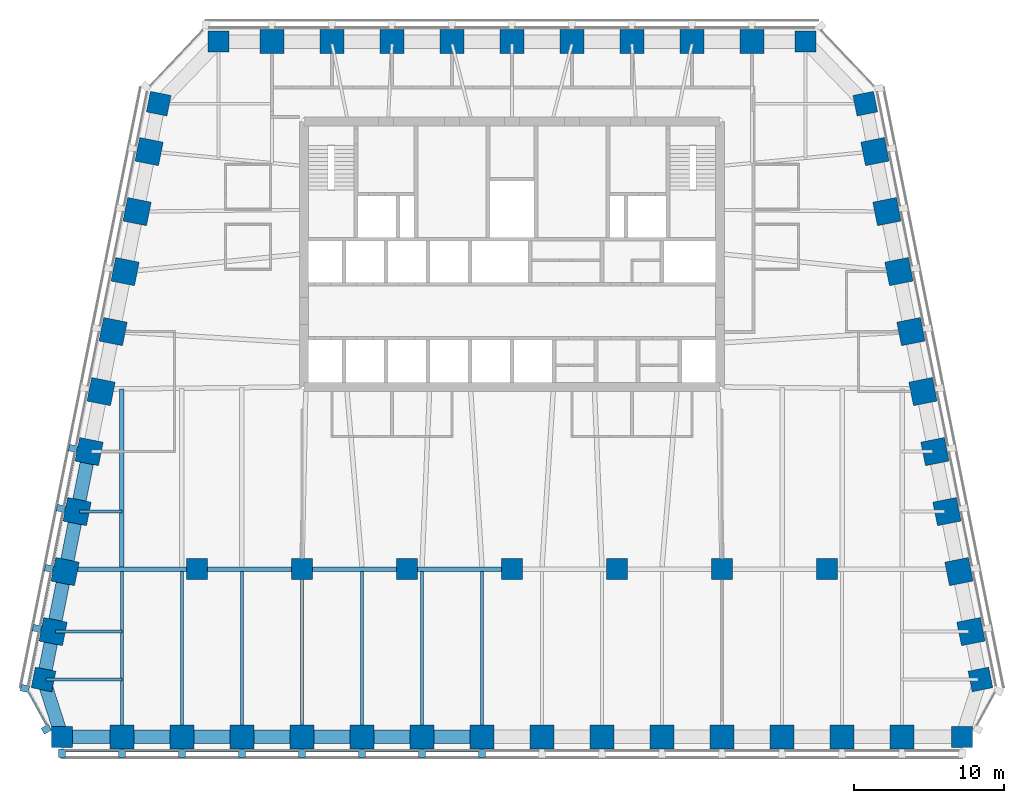
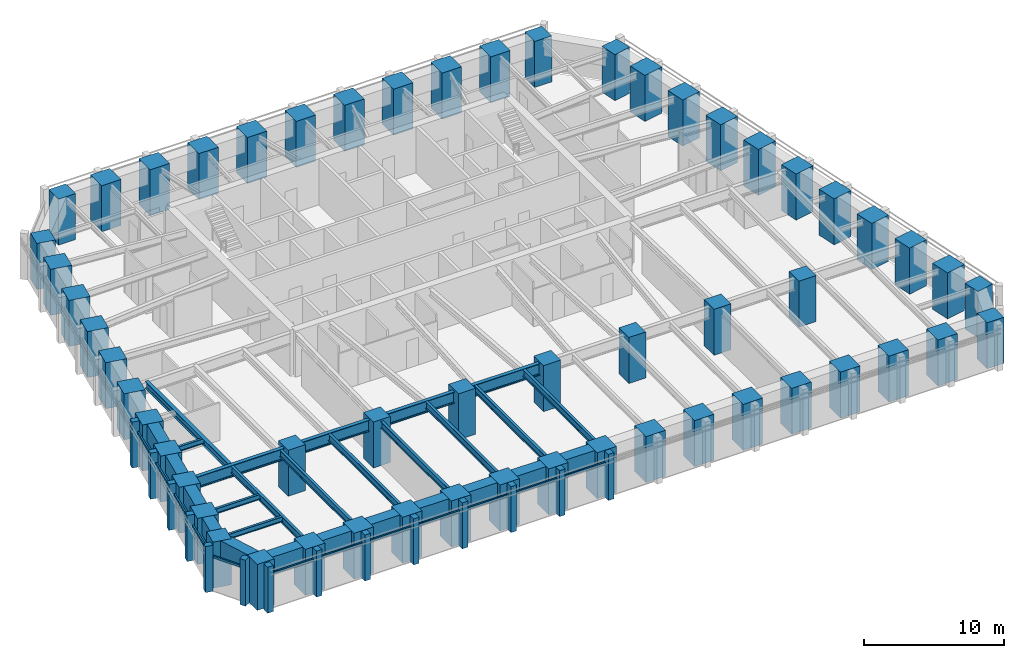
# One storey, part 1 of 10: 56 columns, 27 beams, 26 members, 3 elements without a shape of their own.
"""IFC4 building model written with IfcOpenShell, lengths in metres."""

from ifc_helpers import new_model, si_unit, direction, frame, origin, origin_2d, place, context, subcontext, project, spatial, rectangle, i_section, extrude, material, material_profile, profile_set, type_object, element, aggregate, save


model = new_model("IFC4")

# Units and contexts
model_context = context("Model", 3, precision=1e-05, world=origin(), true_north=direction((0.0, 1.0)))
body_context = subcontext(model_context, "Body", "Model", "MODEL_VIEW")
ifc_project = project(units=[si_unit("LENGTHUNIT", "METRE"), si_unit("AREAUNIT", "SQUARE_METRE"), si_unit("VOLUMEUNIT", "CUBIC_METRE"), si_unit("PLANEANGLEUNIT", "RADIAN"), si_unit("MASSUNIT", "GRAM", prefix="KILO")], contexts=[model_context])

# Site, building, storey
site_placement = place(None, origin())
site = spatial("IfcSite", under=ifc_project, at=site_placement, CompositionType="ELEMENT")
building_placement = place(site_placement, origin())
building = spatial("IfcBuilding", under=site, at=building_placement, Name="Isbrekke Arena Tower", CompositionType="ELEMENT")
storey_placement = place(building_placement, frame((0.0, 0.0, 218.0)))
storey = spatial("IfcBuildingStorey", under=building, at=storey_placement, Name="L50", CompositionType="ELEMENT", Elevation=218.0)

# Columns
ifc_material_1 = material(Name="Concrete B65 (C65/80)", Category="concrete")
ifc_material_profile_1 = material_profile(ifc_material_1, rectangle(XDim=1.39990234375, YDim=1.39990234375, at=origin_2d()), Name="RC 1400x1400")
ifc_profile_set_1 = profile_set([ifc_material_profile_1], Name="Concrete B65 (C65/80)")
column_type_1 = type_object("IfcColumnType", Name="C13 RC 1400 x 1400", PredefinedType="COLUMN", material=ifc_profile_set_1)
for number, where, z_axis, x_axis, name in (
    (1, (-21.0, -6.0, 0.0), (0.0, 0.0, 1.0), (1.0, 0.0, 0.0), "C13 I01"),
    (2, (-14.0, -6.0, 0.0), (0.0, 0.0, 1.0), (1.0, 0.0, 0.0), "C13 I02"),
    (3, (-7.0, -6.0, 0.0), (0.0, 0.0, 1.0), (1.0, 0.0, 0.0), "C13 I03"),
    (4, (0.0, -6.0, 0.0), (0.0, 0.0, 1.0), (1.0, 0.0, 0.0), "C13 I04"),
    (5, (7.0, -6.0, 0.0), (0.0, 0.0, 1.0), (1.0, 0.0, 0.0), "C13 I05"),
    (6, (14.0, -6.0, 0.0), (0.0, 0.0, 1.0), (1.0, 0.0, 0.0), "C13 I06"),
    (7, (21.0, -6.0, 0.0), (0.0, 0.0, 1.0), (1.0, 0.0, 0.0), "C13 I07"),
):
    element("IfcColumn", number, at=place(storey_placement, frame(where, z_axis=z_axis, x_axis=x_axis)), inside=storey, type_object=column_type_1, Name=name, PredefinedType="COLUMN", context=body_context, shape_type="SweptSolid", body=[
        extrude(rectangle(XDim=1.39990234375, YDim=1.39990234375, at=origin_2d()), origin(), (0.0, 0.0, 1.0), 4.0),
    ])
ifc_material_2 = material(Name="Concrete B65 (C65/80)", Category="concrete")
ifc_material_profile_2 = material_profile(ifc_material_2, rectangle(XDim=1.60009765625, YDim=1.60009765625, at=origin_2d()), Name="RC 1600x1600")
ifc_profile_set_2 = profile_set([ifc_material_profile_2], Name="Concrete B65 (C65/80)")
column_type_2 = type_object("IfcColumnType", Name="C4 RC 1600 x 1600", PredefinedType="COLUMN", material=ifc_profile_set_2)
for number, where, z_axis, x_axis, name in (
    (8, (-26.0, -17.175048828125, 0.0), (0.0, 0.0, 1.0), (1.0, 0.0, 0.0), "C4 S02"),
    (9, (-22.0, -17.175048828125, 0.0), (0.0, 0.0, 1.0), (1.0, 0.0, 0.0), "C4 S03"),
    (10, (-18.0, -17.175048828125, 0.0), (0.0, 0.0, 1.0), (1.0, 0.0, 0.0), "C4 S04"),
    (11, (-14.0, -17.175048828125, 0.0), (0.0, 0.0, 1.0), (1.0, 0.0, 0.0), "C4 S05"),
    (12, (-10.0, -17.175048828125, 0.0), (0.0, 0.0, 1.0), (1.0, 0.0, 0.0), "C4 S06"),
    (13, (-6.0, -17.175048828125, 0.0), (0.0, 0.0, 1.0), (1.0, 0.0, 0.0), "C4 S07"),
    (14, (-2.0, -17.175048828125, 0.0), (0.0, 0.0, 1.0), (1.0, 0.0, 0.0), "C4 S08"),
    (15, (2.0, -17.175048828125, 0.0), (0.0, 0.0, 1.0), (1.0, 0.0, 0.0), "C4 S09"),
    (16, (6.0, -17.175048828125, 0.0), (0.0, 0.0, 1.0), (1.0, 0.0, 0.0), "C4 S10"),
    (17, (10.0, -17.175048828125, 0.0), (0.0, 0.0, 1.0), (1.0, 0.0, 0.0), "C4 S11"),
    (18, (14.0, -17.175048828125, 0.0), (0.0, 0.0, 1.0), (1.0, 0.0, 0.0), "C4 S12"),
    (19, (18.0, -17.175048828125, 0.0), (0.0, 0.0, 1.0), (1.0, 0.0, 0.0), "C4 S13"),
    (20, (22.0, -17.175048828125, 0.0), (0.0, 0.0, 1.0), (1.0, 0.0, 0.0), "C4 S14"),
    (21, (26.0, -17.175048828125, 0.0), (0.0, 0.0, 1.0), (1.0, 0.0, 0.0), "C4 S15"),
    (22, (30.591064453125, -10.161865234375, 0.0), (0.0, 0.0, 1.0), (-0.196116135138, 0.980580675691, 0.0), "C4 E02"),
    (23, (29.791015625, -6.161865234375, 0.0), (0.0, 0.0, 1.0), (-0.196116135138, 0.980580675691, 0.0), "C4 E03"),
    (24, (28.990966796875, -2.161865234375, 0.0), (0.0, 0.0, 1.0), (-0.196116135138, 0.980580675691, 0.0), "C4 E04"),
    (25, (28.19091796875, 1.838134765625, 0.0), (0.0, 0.0, 1.0), (-0.196116135138, 0.980580675691, 0.0), "C4 E05"),
    (26, (27.39111328125, 5.838134765625, 0.0), (0.0, 0.0, 1.0), (-0.196116135138, 0.980580675691, 0.0), "C4 E06"),
    (27, (26.591064453125, 9.838134765625, 0.0), (0.0, 0.0, 1.0), (-0.196116135138, 0.980580675691, 0.0), "C4 E07"),
    (28, (25.791015625, 13.838134765625, 0.0), (0.0, 0.0, 1.0), (-0.196116135138, 0.980580675691, 0.0), "C4 E08"),
    (29, (24.990966796875, 17.838134765625, 0.0), (0.0, 0.0, 1.0), (-0.196116135138, 0.980580675691, 0.0), "C4 E09"),
    (30, (24.19091796875, 21.838134765625, 0.0), (0.0, 0.0, 1.0), (-0.196116135138, 0.980580675691, 0.0), "C4 E10"),
    (31, (16.0, 29.175048828125, 0.0), (0.0, 0.0, 1.0), (-1.0, 0.0, 0.0), "C4 N02"),
    (32, (12.0, 29.175048828125, 0.0), (0.0, 0.0, 1.0), (-1.0, 0.0, 0.0), "C4 N03"),
    (33, (8.0, 29.175048828125, 0.0), (0.0, 0.0, 1.0), (-1.0, 0.0, 0.0), "C4 N04"),
    (34, (4.0, 29.175048828125, 0.0), (0.0, 0.0, 1.0), (-1.0, 0.0, 0.0), "C4 N05"),
    (35, (0.0, 29.175048828125, 0.0), (0.0, 0.0, 1.0), (-1.0, 0.0, 0.0), "C4 N06"),
    (36, (-4.0, 29.175048828125, 0.0), (0.0, 0.0, 1.0), (-1.0, 0.0, 0.0), "C4 N07"),
    (37, (-8.0, 29.175048828125, 0.0), (0.0, 0.0, 1.0), (-1.0, 0.0, 0.0), "C4 N08"),
    (38, (-12.0, 29.175048828125, 0.0), (0.0, 0.0, 1.0), (-1.0, 0.0, 0.0), "C4 N09"),
    (39, (-16.0, 29.175048828125, 0.0), (0.0, 0.0, 1.0), (-1.0, 0.0, 0.0), "C4 N10"),
    (40, (-24.19091796875, 21.838134765625, 0.0), (0.0, 0.0, 1.0), (-0.196116135138, -0.980580675691, 0.0), "C4 W02"),
    (41, (-24.990966796875, 17.838134765625, 0.0), (0.0, 0.0, 1.0), (-0.196116135138, -0.980580675691, 0.0), "C4 W03"),
    (42, (-25.791015625, 13.838134765625, 0.0), (0.0, 0.0, 1.0), (-0.196116135138, -0.980580675691, 0.0), "C4 W04"),
    (43, (-26.591064453125, 9.838134765625, 0.0), (0.0, 0.0, 1.0), (-0.196116135138, -0.980580675691, 0.0), "C4 W05"),
    (44, (-27.39111328125, 5.838134765625, 0.0), (0.0, 0.0, 1.0), (-0.196116135138, -0.980580675691, 0.0), "C4 W06"),
    (45, (-28.19091796875, 1.838134765625, 0.0), (0.0, 0.0, 1.0), (-0.196116135138, -0.980580675691, 0.0), "C4 W07"),
    (46, (-28.990966796875, -2.161865234375, 0.0), (0.0, 0.0, 1.0), (-0.196116135138, -0.980580675691, 0.0), "C4 W08"),
    (47, (-29.791015625, -6.161865234375, 0.0), (0.0, 0.0, 1.0), (-0.196116135138, -0.980580675691, 0.0), "C4 W09"),
    (48, (-30.591064453125, -10.161865234375, 0.0), (0.0, 0.0, 1.0), (-0.196116135138, -0.980580675691, 0.0), "C4 W10"),
):
    element("IfcColumn", number, at=place(storey_placement, frame(where, z_axis=z_axis, x_axis=x_axis)), inside=storey, type_object=column_type_2, Name=name, PredefinedType="COLUMN", context=body_context, shape_type="SweptSolid", body=[
        extrude(rectangle(XDim=1.60009765625, YDim=1.60009765625, at=origin_2d()), origin(), (0.0, 0.0, 1.0), 4.0),
    ])
ifc_material_3 = material(Name="Concrete B65 (C65/80)", Category="concrete")
ifc_material_profile_3 = material_profile(ifc_material_3, rectangle(XDim=1.39990234375, YDim=1.39990234375, at=origin_2d()), Name="RC 1400x1400")
ifc_profile_set_3 = profile_set([ifc_material_profile_3], Name="Concrete B65 (C65/80)")
column_type_3 = type_object("IfcColumnType", Name="C8 RC 1400 x 1400", PredefinedType="COLUMN", material=ifc_profile_set_3)
for number, where, z_axis, x_axis, name in (
    (49, (-30.0, -17.175048828125, 0.0), (0.0, 0.0, 1.0), (1.0, 0.0, 0.0), "C8 S01"),
    (50, (30.0, -17.175048828125, 0.0), (0.0, 0.0, 1.0), (1.0, 0.0, 0.0), "C8 S16"),
    (51, (31.229248046875, -13.352783203125, 0.0), (0.0, 0.0, 1.0), (-0.196116135138, 0.980580675691, 0.0), "C8 E01"),
    (52, (23.552734375, 25.029296875, 0.0), (0.0, 0.0, 1.0), (-0.196116135138, 0.980580675691, 0.0), "C8 E11"),
    (53, (19.574951171875, 29.175048828125, 0.0), (0.0, 0.0, 1.0), (-1.0, 0.0, 0.0), "C8 N01"),
    (54, (-19.574951171875, 29.175048828125, 0.0), (0.0, 0.0, 1.0), (-1.0, 0.0, 0.0), "C8 N11"),
    (55, (-23.552734375, 25.029296875, 0.0), (0.0, 0.0, 1.0), (-0.196116135138, -0.980580675691, 0.0), "C8 W01"),
    (56, (-31.229248046875, -13.352783203125, 0.0), (0.0, 0.0, 1.0), (-0.196116135138, -0.980580675691, 0.0), "C8 W11"),
):
    element("IfcColumn", number, at=place(storey_placement, frame(where, z_axis=z_axis, x_axis=x_axis)), inside=storey, type_object=column_type_3, Name=name, PredefinedType="COLUMN", context=body_context, shape_type="SweptSolid", body=[
        extrude(rectangle(XDim=1.39990234375, YDim=1.39990234375, at=origin_2d()), origin(), (0.0, 0.0, 1.0), 4.0),
    ])

# Beams
ifc_material_4 = material(Name="Steel S355", Category="steel")
ifc_material_profile_4 = material_profile(ifc_material_4, i_section(OverallWidth=0.219970703125, OverallDepth=0.60009765625, WebThickness=0.011962890625, FlangeThickness=0.01904296875, FilletRadius=0.02392578125, at=origin_2d()), Name="IPE 600")
ifc_profile_set_4 = profile_set([ifc_material_profile_4], Name="Steel S355")
beam_type_1 = type_object("IfcBeamType", Name="B1 IPE 600", PredefinedType="BEAM", material=ifc_profile_set_4)
for number, where, z_axis, x_axis, name in (
    (57, (-26.0, -17.02490234375, 3.550048828125), (0.0, 1.0, 0.0), (-1.0, 0.0, 0.0), "B1 beam S-S02 L50"),
    (58, (-22.0, -17.02490234375, 3.550048828125), (0.0, 1.0, 0.0), (-1.0, 0.0, 0.0), "B1 beam S-S03 L50"),
    (59, (-18.0, -17.02490234375, 3.550048828125), (0.0, 1.0, 0.0), (-1.0, 0.0, 0.0), "B1 beam S-S04 L50"),
):
    element("IfcBeam", number, at=place(storey_placement, frame(where, z_axis=z_axis, x_axis=x_axis)), inside=storey, type_object=beam_type_1, Name=name, PredefinedType="BEAM", context=body_context, shape_type="SweptSolid", body=[
        extrude(i_section(OverallWidth=0.219970703125, OverallDepth=0.60009765625, WebThickness=0.011962890625, FlangeThickness=0.01904296875, FilletRadius=0.02392578125, at=origin_2d()), origin(), (0.0, 0.0, 1.0), 10.8740234375),
    ])
beam_1_placement = place(storey_placement, frame((-14.0, -17.02490234375, 3.550048828125), z_axis=(0.0, 1.0, 0.0), x_axis=(-1.0, 0.0, 0.0)))
element("IfcBeam", 60, at=beam_1_placement, inside=storey, type_object=beam_type_1, Name="B1 beam S-S05 L50", PredefinedType="BEAM", context=body_context, shape_type="SweptSolid", body=[
    extrude(i_section(OverallWidth=0.219970703125, OverallDepth=0.60009765625, WebThickness=0.011962890625, FlangeThickness=0.01904296875, FilletRadius=0.02392578125, at=origin_2d()), origin(), (0.0, 0.0, 1.0), 10.875),
])
for number, where, z_axis, x_axis, name in (
    (61, (-10.0, -17.02490234375, 3.550048828125), (0.0, 1.0, 0.0), (-1.0, 0.0, 0.0), "B1 beam S-S06 L50"),
    (62, (-6.0, -17.02490234375, 3.550048828125), (0.0, 1.0, 0.0), (-1.0, 0.0, 0.0), "B1 beam S-S07 L50"),
    (63, (-2.0, -17.02490234375, 3.550048828125), (0.0, 1.0, 0.0), (-1.0, 0.0, 0.0), "B1 beam S-S08 L50"),
):
    element("IfcBeam", number, at=place(storey_placement, frame(where, z_axis=z_axis, x_axis=x_axis)), inside=storey, type_object=beam_type_1, Name=name, PredefinedType="BEAM", context=body_context, shape_type="SweptSolid", body=[
        extrude(i_section(OverallWidth=0.219970703125, OverallDepth=0.60009765625, WebThickness=0.011962890625, FlangeThickness=0.01904296875, FilletRadius=0.02392578125, at=origin_2d()), origin(), (0.0, 0.0, 1.0), 10.8740234375),
    ])
ifc_material_5 = material(Name="Steel S355", Category="steel")
ifc_material_profile_5 = material_profile(ifc_material_5, i_section(OverallWidth=0.18994140625, OverallDepth=0.449951171875, WebThickness=0.009521484375, FlangeThickness=0.0146484375, FilletRadius=0.02099609375, at=origin_2d()), Name="IPE 450")
ifc_profile_set_5 = profile_set([ifc_material_profile_5], Name="Steel S355")
beam_type_2 = type_object("IfcBeamType", Name="B2 IPE 450", PredefinedType="BEAM", material=ifc_profile_set_5)
beam_2_placement = place(storey_placement, frame((-28.841064453125, -2.161865234375, 3.625), z_axis=(1.0, 0.0, 0.0), x_axis=(0.0, 1.0, 0.0)))
element("IfcBeam", 64, at=beam_2_placement, inside=storey, type_object=beam_type_2, Name="B2 beam E-W08 L50", PredefinedType="BEAM", context=body_context, shape_type="SweptSolid", body=[
    extrude(i_section(OverallWidth=0.18994140625, OverallDepth=0.449951171875, WebThickness=0.009521484375, FlangeThickness=0.0146484375, FilletRadius=0.02099609375, at=origin_2d()), origin(), (0.0, 0.0, 1.0), 2.841064453125),
])
beam_3_placement = place(storey_placement, frame((-30.44091796875, -10.161865234375, 3.625), z_axis=(1.0, 0.0, 0.0), x_axis=(0.0, 1.0, 0.0)))
element("IfcBeam", 65, at=beam_3_placement, inside=storey, type_object=beam_type_2, Name="B2 beam E-W10 L50", PredefinedType="BEAM", context=body_context, shape_type="SweptSolid", body=[
    extrude(i_section(OverallWidth=0.18994140625, OverallDepth=0.449951171875, WebThickness=0.009521484375, FlangeThickness=0.0146484375, FilletRadius=0.02099609375, at=origin_2d()), origin(), (0.0, 0.0, 1.0), 4.44091796875),
])
beam_4_placement = place(storey_placement, frame((-31.079345703125, -13.352783203125, 3.625), z_axis=(1.0, 0.0, 0.0), x_axis=(0.0, 1.0, 0.0)))
element("IfcBeam", 66, at=beam_4_placement, inside=storey, type_object=beam_type_2, Name="B2 beam E-W11 L50", PredefinedType="BEAM", context=body_context, shape_type="SweptSolid", body=[
    extrude(i_section(OverallWidth=0.18994140625, OverallDepth=0.449951171875, WebThickness=0.009521484375, FlangeThickness=0.0146484375, FilletRadius=0.02099609375, at=origin_2d()), origin(), (0.0, 0.0, 1.0), 5.079345703125),
])
ifc_material_6 = material(Name="Steel S355", Category="steel")
ifc_material_profile_6 = material_profile(ifc_material_6, i_section(OverallWidth=0.300048828125, OverallDepth=0.60009765625, WebThickness=0.015380859375, FlangeThickness=0.030029296875, FilletRadius=0.027099609375, at=origin_2d()), Name="HEB 600")
ifc_profile_set_6 = profile_set([ifc_material_profile_6], Name="Steel S355")
beam_type_3 = type_object("IfcBeamType", Name="B7 HEB 600", PredefinedType="BEAM", material=ifc_profile_set_6)
beam_5_placement = place(storey_placement, frame((-26.0, -5.84912109375, 3.550048828125), z_axis=(0.0, 1.0, 0.0), x_axis=(-1.0, 0.0, 0.0)))
element("IfcBeam", 67, at=beam_5_placement, inside=storey, type_object=beam_type_3, Name="B7 beam C-M01 L50", PredefinedType="BEAM", context=body_context, shape_type="SweptSolid", body=[
    extrude(i_section(OverallWidth=0.300048828125, OverallDepth=0.60009765625, WebThickness=0.015380859375, FlangeThickness=0.030029296875, FilletRadius=0.027099609375, at=origin_2d()), origin(), (0.0, 0.0, 1.0), 11.864990234375),
])

# Curtain wall, members
ifc_material_7 = material(Name="Glazed aluminium curtain wall", Category="aluminium")
curtain_wall_type = type_object("IfcCurtainWallType", Name="CWH TOWER CURTAIN WALL HIGH ZONE", PredefinedType="USERDEFINED", material=ifc_material_7)
curtain_wall_1_placement = place(storey_placement, origin())
curtain_wall_1 = element("IfcCurtainWall", 68, at=curtain_wall_1_placement, inside=storey, type_object=curtain_wall_type, Name="CWH curtain wall L50-S", ObjectType="TOWER CURTAIN WALL HIGH ZONE", PredefinedType="USERDEFINED")
ifc_material_8 = material(Name="Aluminium mullion, pale brick slip cladding", Category="masonry")
ifc_material_profile_7 = material_profile(ifc_material_8, rectangle(XDim=0.449951171875, YDim=0.550048828125, at=origin_2d()), Name="PIER 450X550")
ifc_profile_set_7 = profile_set([ifc_material_profile_7], Name="Aluminium mullion, pale brick slip cladding")
member_type_1 = type_object("IfcMemberType", Name="CWH-M PIER MULLION 450 x 550", PredefinedType="MULLION", material=ifc_profile_set_7)
member_1_placement = place(storey_placement, frame((-30.0, -18.27490234375, 0.0), z_axis=(0.0, 0.0, 1.0), x_axis=(1.0, 0.0, 0.0)))
member_1 = element("IfcMember", 69, at=member_1_placement, type_object=member_type_1, Name="CWH-M mullion 1", PredefinedType="MULLION", context=body_context, shape_type="SweptSolid", body=[
    extrude(rectangle(XDim=0.449951171875, YDim=0.550048828125, at=origin_2d()), origin(), (0.0, 0.0, 1.0), 4.0),
])
member_2_placement = place(storey_placement, frame((-26.0, -18.27490234375, 0.0), z_axis=(0.0, 0.0, 1.0), x_axis=(1.0, 0.0, 0.0)))
member_2 = element("IfcMember", 70, at=member_2_placement, type_object=member_type_1, Name="CWH-M mullion 2", PredefinedType="MULLION", context=body_context, shape_type="SweptSolid", body=[
    extrude(rectangle(XDim=0.449951171875, YDim=0.550048828125, at=origin_2d()), origin(), (0.0, 0.0, 1.0), 4.0),
])
member_3_placement = place(storey_placement, frame((-22.0, -18.27490234375, 0.0), z_axis=(0.0, 0.0, 1.0), x_axis=(1.0, 0.0, 0.0)))
member_3 = element("IfcMember", 71, at=member_3_placement, type_object=member_type_1, Name="CWH-M mullion 3", PredefinedType="MULLION", context=body_context, shape_type="SweptSolid", body=[
    extrude(rectangle(XDim=0.449951171875, YDim=0.550048828125, at=origin_2d()), origin(), (0.0, 0.0, 1.0), 4.0),
])
member_4_placement = place(storey_placement, frame((-18.0, -18.27490234375, 0.0), z_axis=(0.0, 0.0, 1.0), x_axis=(1.0, 0.0, 0.0)))
member_4 = element("IfcMember", 72, at=member_4_placement, type_object=member_type_1, Name="CWH-M mullion 4", PredefinedType="MULLION", context=body_context, shape_type="SweptSolid", body=[
    extrude(rectangle(XDim=0.449951171875, YDim=0.550048828125, at=origin_2d()), origin(), (0.0, 0.0, 1.0), 4.0),
])
member_5_placement = place(storey_placement, frame((-14.0, -18.27490234375, 0.0), z_axis=(0.0, 0.0, 1.0), x_axis=(1.0, 0.0, 0.0)))
member_5 = element("IfcMember", 73, at=member_5_placement, type_object=member_type_1, Name="CWH-M mullion 5", PredefinedType="MULLION", context=body_context, shape_type="SweptSolid", body=[
    extrude(rectangle(XDim=0.449951171875, YDim=0.550048828125, at=origin_2d()), origin(), (0.0, 0.0, 1.0), 4.0),
])
member_6_placement = place(storey_placement, frame((-10.0, -18.27490234375, 0.0), z_axis=(0.0, 0.0, 1.0), x_axis=(1.0, 0.0, 0.0)))
member_6 = element("IfcMember", 74, at=member_6_placement, type_object=member_type_1, Name="CWH-M mullion 6", PredefinedType="MULLION", context=body_context, shape_type="SweptSolid", body=[
    extrude(rectangle(XDim=0.449951171875, YDim=0.550048828125, at=origin_2d()), origin(), (0.0, 0.0, 1.0), 4.0),
])
member_7_placement = place(storey_placement, frame((-6.0, -18.27490234375, 0.0), z_axis=(0.0, 0.0, 1.0), x_axis=(1.0, 0.0, 0.0)))
member_7 = element("IfcMember", 75, at=member_7_placement, type_object=member_type_1, Name="CWH-M mullion 7", PredefinedType="MULLION", context=body_context, shape_type="SweptSolid", body=[
    extrude(rectangle(XDim=0.449951171875, YDim=0.550048828125, at=origin_2d()), origin(), (0.0, 0.0, 1.0), 4.0),
])
member_8_placement = place(storey_placement, frame((-2.0, -18.27490234375, 0.0), z_axis=(0.0, 0.0, 1.0), x_axis=(1.0, 0.0, 0.0)))
member_8 = element("IfcMember", 76, at=member_8_placement, type_object=member_type_1, Name="CWH-M mullion 8", PredefinedType="MULLION", context=body_context, shape_type="SweptSolid", body=[
    extrude(rectangle(XDim=0.449951171875, YDim=0.550048828125, at=origin_2d()), origin(), (0.0, 0.0, 1.0), 4.0),
])

curtain_wall_2_placement = place(storey_placement, origin())
curtain_wall_2 = element("IfcCurtainWall", 77, at=curtain_wall_2_placement, inside=storey, type_object=curtain_wall_type, Name="CWH curtain wall L50-W", ObjectType="TOWER CURTAIN WALL HIGH ZONE", PredefinedType="USERDEFINED")
member_9_placement = place(storey_placement, frame((-29.269775390625, 2.053955078125, 0.0), z_axis=(0.0, 0.0, 1.0), x_axis=(-0.196116135138, -0.980580675691, 0.0)))
member_9 = element("IfcMember", 78, at=member_9_placement, type_object=member_type_1, Name="CWH-M mullion 6", PredefinedType="MULLION", context=body_context, shape_type="SweptSolid", body=[
    extrude(rectangle(XDim=0.449951171875, YDim=0.550048828125, at=origin_2d()), origin(), (0.0, 0.0, 1.0), 4.0),
])
member_10_placement = place(storey_placement, frame((-30.069580078125, -1.946044921875, 0.0), z_axis=(0.0, 0.0, 1.0), x_axis=(-0.196116135138, -0.980580675691, 0.0)))
member_10 = element("IfcMember", 79, at=member_10_placement, type_object=member_type_1, Name="CWH-M mullion 7", PredefinedType="MULLION", context=body_context, shape_type="SweptSolid", body=[
    extrude(rectangle(XDim=0.449951171875, YDim=0.550048828125, at=origin_2d()), origin(), (0.0, 0.0, 1.0), 4.0),
])
member_11_placement = place(storey_placement, frame((-30.86962890625, -5.946044921875, 0.0), z_axis=(0.0, 0.0, 1.0), x_axis=(-0.196116135138, -0.980580675691, 0.0)))
member_11 = element("IfcMember", 80, at=member_11_placement, type_object=member_type_1, Name="CWH-M mullion 8", PredefinedType="MULLION", context=body_context, shape_type="SweptSolid", body=[
    extrude(rectangle(XDim=0.449951171875, YDim=0.550048828125, at=origin_2d()), origin(), (0.0, 0.0, 1.0), 4.0),
])
member_12_placement = place(storey_placement, frame((-31.669677734375, -9.946044921875, 0.0), z_axis=(0.0, 0.0, 1.0), x_axis=(-0.196116135138, -0.980580675691, 0.0)))
member_12 = element("IfcMember", 81, at=member_12_placement, type_object=member_type_1, Name="CWH-M mullion 9", PredefinedType="MULLION", context=body_context, shape_type="SweptSolid", body=[
    extrude(rectangle(XDim=0.449951171875, YDim=0.550048828125, at=origin_2d()), origin(), (0.0, 0.0, 1.0), 4.0),
])
member_13_placement = place(storey_placement, frame((-32.4697265625, -13.946044921875, 0.0), z_axis=(0.0, 0.0, 1.0), x_axis=(-0.196116135138, -0.980580675691, 0.0)))
member_13 = element("IfcMember", 82, at=member_13_placement, type_object=member_type_1, Name="CWH-M mullion 10", PredefinedType="MULLION", context=body_context, shape_type="SweptSolid", body=[
    extrude(rectangle(XDim=0.449951171875, YDim=0.550048828125, at=origin_2d()), origin(), (0.0, 0.0, 1.0), 4.0),
])

# Curtain wall, member
curtain_wall_3_placement = place(storey_placement, origin())
curtain_wall_3 = element("IfcCurtainWall", 83, at=curtain_wall_3_placement, inside=storey, type_object=curtain_wall_type, Name="CWH curtain wall L50-WS", ObjectType="TOWER CURTAIN WALL HIGH ZONE", PredefinedType="USERDEFINED")
member_14_placement = place(storey_placement, frame((-31.04638671875, -16.66796875, 0.0), z_axis=(0.0, 0.0, 1.0), x_axis=(0.481918749773, -0.876215908676, 0.0)))
member_14 = element("IfcMember", 84, at=member_14_placement, type_object=member_type_1, Name="CWH-M mullion 1", PredefinedType="MULLION", context=body_context, shape_type="SweptSolid", body=[
    extrude(rectangle(XDim=0.449951171875, YDim=0.550048828125, at=origin_2d()), origin(), (0.0, 0.0, 1.0), 4.0),
])

# Member
ifc_material_9 = material(Name="Aluminium transom", Category="aluminium")
ifc_material_profile_8 = material_profile(ifc_material_9, rectangle(XDim=0.1201171875, YDim=0.199951171875, at=origin_2d()), Name="TRANSOM 120X200")
ifc_profile_set_8 = profile_set([ifc_material_profile_8], Name="Aluminium transom")
member_type_2 = type_object("IfcMemberType", Name="CWH-T TRANSOM 120 x 200", PredefinedType="USERDEFINED", material=ifc_profile_set_8)
member_15_placement = place(storey_placement, frame((-29.77490234375, -18.10009765625, 3.0), z_axis=(1.0, 0.0, 0.0), x_axis=(0.0, 1.0, 0.0)))
member_15 = element("IfcMember", 85, at=member_15_placement, type_object=member_type_2, Name="CWH-T transom 1", ObjectType="TRANSOM", PredefinedType="USERDEFINED", context=body_context, shape_type="SweptSolid", body=[
    extrude(rectangle(XDim=0.1201171875, YDim=0.199951171875, at=origin_2d()), origin(), (0.0, 0.0, 1.0), 3.5498046875),
])

member_16_placement = place(storey_placement, frame((-25.77490234375, -18.10009765625, 3.0), z_axis=(1.0, 0.0, 0.0), x_axis=(0.0, 1.0, 0.0)))
member_16 = element("IfcMember", 86, at=member_16_placement, type_object=member_type_2, Name="CWH-T transom 2", ObjectType="TRANSOM", PredefinedType="USERDEFINED", context=body_context, shape_type="SweptSolid", body=[
    extrude(rectangle(XDim=0.1201171875, YDim=0.199951171875, at=origin_2d()), origin(), (0.0, 0.0, 1.0), 3.5498046875),
])

member_17_placement = place(storey_placement, frame((-21.77490234375, -18.10009765625, 3.0), z_axis=(1.0, 0.0, 0.0), x_axis=(0.0, 1.0, 0.0)))
member_17 = element("IfcMember", 87, at=member_17_placement, type_object=member_type_2, Name="CWH-T transom 3", ObjectType="TRANSOM", PredefinedType="USERDEFINED", context=body_context, shape_type="SweptSolid", body=[
    extrude(rectangle(XDim=0.1201171875, YDim=0.199951171875, at=origin_2d()), origin(), (0.0, 0.0, 1.0), 3.5498046875),
])

member_18_placement = place(storey_placement, frame((-17.77490234375, -18.10009765625, 3.0), z_axis=(1.0, 0.0, 0.0), x_axis=(0.0, 1.0, 0.0)))
member_18 = element("IfcMember", 88, at=member_18_placement, type_object=member_type_2, Name="CWH-T transom 4", ObjectType="TRANSOM", PredefinedType="USERDEFINED", context=body_context, shape_type="SweptSolid", body=[
    extrude(rectangle(XDim=0.1201171875, YDim=0.199951171875, at=origin_2d()), origin(), (0.0, 0.0, 1.0), 3.5498046875),
])

member_19_placement = place(storey_placement, frame((-13.77490234375, -18.10009765625, 3.0), z_axis=(1.0, 0.0, 0.0), x_axis=(0.0, 1.0, 0.0)))
member_19 = element("IfcMember", 89, at=member_19_placement, type_object=member_type_2, Name="CWH-T transom 5", ObjectType="TRANSOM", PredefinedType="USERDEFINED", context=body_context, shape_type="SweptSolid", body=[
    extrude(rectangle(XDim=0.1201171875, YDim=0.199951171875, at=origin_2d()), origin(), (0.0, 0.0, 1.0), 3.5498046875),
])

member_20_placement = place(storey_placement, frame((-9.77490234375, -18.10009765625, 3.0), z_axis=(1.0, 0.0, 0.0), x_axis=(0.0, 1.0, 0.0)))
member_20 = element("IfcMember", 90, at=member_20_placement, type_object=member_type_2, Name="CWH-T transom 6", ObjectType="TRANSOM", PredefinedType="USERDEFINED", context=body_context, shape_type="SweptSolid", body=[
    extrude(rectangle(XDim=0.1201171875, YDim=0.199951171875, at=origin_2d()), origin(), (0.0, 0.0, 1.0), 3.5498046875),
])

member_21_placement = place(storey_placement, frame((-5.77490234375, -18.10009765625, 3.0), z_axis=(1.0, 0.0, 0.0), x_axis=(0.0, 1.0, 0.0)))
member_21 = element("IfcMember", 91, at=member_21_placement, type_object=member_type_2, Name="CWH-T transom 7", ObjectType="TRANSOM", PredefinedType="USERDEFINED", context=body_context, shape_type="SweptSolid", body=[
    extrude(rectangle(XDim=0.1201171875, YDim=0.199951171875, at=origin_2d()), origin(), (0.0, 0.0, 1.0), 3.5498046875),
])

aggregate(curtain_wall_1, [member_1, member_2, member_3, member_4, member_5, member_6, member_7, member_8, member_15, member_16, member_17, member_18, member_19, member_20, member_21])

member_22_placement = place(storey_placement, frame((-29.14208984375, 1.799072265625, 3.0), z_axis=(-0.196154943734, -0.980572913173, 0.0), x_axis=(0.980572913173, -0.196154943734, 0.0)))
member_22 = element("IfcMember", 92, at=member_22_placement, type_object=member_type_2, Name="CWH-T transom 7", ObjectType="TRANSOM", PredefinedType="USERDEFINED", context=body_context, shape_type="SweptSolid", body=[
    extrude(rectangle(XDim=0.1201171875, YDim=0.199951171875, at=origin_2d()), origin(), (0.0, 0.0, 1.0), 3.62939453125),
])

member_23_placement = place(storey_placement, frame((-29.942138671875, -2.200927734375, 3.0), z_axis=(-0.196154943734, -0.980572913173, 0.0), x_axis=(0.980572913173, -0.196154943734, 0.0)))
member_23 = element("IfcMember", 93, at=member_23_placement, type_object=member_type_2, Name="CWH-T transom 8", ObjectType="TRANSOM", PredefinedType="USERDEFINED", context=body_context, shape_type="SweptSolid", body=[
    extrude(rectangle(XDim=0.1201171875, YDim=0.199951171875, at=origin_2d()), origin(), (0.0, 0.0, 1.0), 3.62939453125),
])

member_24_placement = place(storey_placement, frame((-30.7421875, -6.200927734375, 3.0), z_axis=(-0.196090262229, -0.980585849918, 0.0), x_axis=(0.980585849918, -0.196090262229, 0.0)))
member_24 = element("IfcMember", 94, at=member_24_placement, type_object=member_type_2, Name="CWH-T transom 9", ObjectType="TRANSOM", PredefinedType="USERDEFINED", context=body_context, shape_type="SweptSolid", body=[
    extrude(rectangle(XDim=0.1201171875, YDim=0.199951171875, at=origin_2d()), origin(), (0.0, 0.0, 1.0), 3.62939453125),
])

member_25_placement = place(storey_placement, frame((-31.542236328125, -10.200927734375, 3.0), z_axis=(-0.196090262229, -0.980585849918, 0.0), x_axis=(0.980585849918, -0.196090262229, 0.0)))
member_25 = element("IfcMember", 95, at=member_25_placement, type_object=member_type_2, Name="CWH-T transom 10", ObjectType="TRANSOM", PredefinedType="USERDEFINED", context=body_context, shape_type="SweptSolid", body=[
    extrude(rectangle(XDim=0.1201171875, YDim=0.199951171875, at=origin_2d()), origin(), (0.0, 0.0, 1.0), 3.62939453125),
])

aggregate(curtain_wall_2, [member_9, member_10, member_11, member_12, member_13, member_22, member_23, member_24, member_25])

member_26_placement = place(storey_placement, frame((-32.17919921875, -14.245361328125, 3.0), z_axis=(0.481957101782, -0.876194813978, 0.0), x_axis=(0.876194813978, 0.481957101782, 0.0)))
member_26 = element("IfcMember", 96, at=member_26_placement, type_object=member_type_2, Name="CWH-T transom 1", ObjectType="TRANSOM", PredefinedType="USERDEFINED", context=body_context, shape_type="SweptSolid", body=[
    extrude(rectangle(XDim=0.1201171875, YDim=0.199951171875, at=origin_2d()), origin(), (0.0, 0.0, 1.0), 2.443603515625),
])

aggregate(curtain_wall_3, [member_14, member_26])

# Beams
ifc_material_10 = material(Name="Steel S355", Category="steel")
ifc_material_profile_9 = material_profile(ifc_material_10, i_section(OverallWidth=0.302001953125, OverallDepth=1.008056640625, WebThickness=0.02099609375, FlangeThickness=0.0400390625, FilletRadius=0.030029296875, at=origin_2d()), Name="HEM 1000")
ifc_profile_set_9 = profile_set([ifc_material_profile_9], Name="Steel S355")
beam_type_4 = type_object("IfcBeamType", Name="G1 HEM 1000", PredefinedType="BEAM", material=ifc_profile_set_9)
beam_6_placement = place(storey_placement, frame((-29.791015625, -6.0, 3.345947265625), z_axis=(1.0, 0.0, 0.0), x_axis=(0.0, 1.0, 0.0)))
element("IfcBeam", 97, at=beam_6_placement, inside=storey, type_object=beam_type_4, Name="G1 beam G1-01 L50", PredefinedType="BEAM", context=body_context, shape_type="SweptSolid", body=[
    extrude(i_section(OverallWidth=0.302001953125, OverallDepth=1.008056640625, WebThickness=0.02099609375, FlangeThickness=0.0400390625, FilletRadius=0.030029296875, at=origin_2d()), origin(), (0.0, 0.0, 1.0), 8.64111328125),
])
for number, where, z_axis, x_axis, name in (
    (98, (-20.85009765625, -6.0, 3.345947265625), (1.0, 0.0, 0.0), (0.0, 1.0, 0.0), "G1 beam G1-02 L50"),
    (99, (-13.85009765625, -6.0, 3.345947265625), (1.0, 0.0, 0.0), (0.0, 1.0, 0.0), "G1 beam G1-03 L50"),
    (100, (-6.85009765625, -6.0, 3.345947265625), (1.0, 0.0, 0.0), (0.0, 1.0, 0.0), "G1 beam G1-04 L50"),
):
    element("IfcBeam", number, at=place(storey_placement, frame(where, z_axis=z_axis, x_axis=x_axis)), inside=storey, type_object=beam_type_4, Name=name, PredefinedType="BEAM", context=body_context, shape_type="SweptSolid", body=[
        extrude(i_section(OverallWidth=0.302001953125, OverallDepth=1.008056640625, WebThickness=0.02099609375, FlangeThickness=0.0400390625, FilletRadius=0.030029296875, at=origin_2d()), origin(), (0.0, 0.0, 1.0), 6.7001953125),
    ])
ifc_material_11 = material(Name="Concrete B65 (C65/80)", Category="concrete")
ifc_material_profile_10 = material_profile(ifc_material_11, rectangle(XDim=0.89990234375, YDim=1.5, at=origin_2d()), Name="RC 900x1500")
ifc_profile_set_10 = profile_set([ifc_material_profile_10], Name="Concrete B65 (C65/80)")
beam_type_5 = type_object("IfcBeamType", Name="SB3 RC 900 x 1500", PredefinedType="SPANDREL", material=ifc_profile_set_10)
for number, where, z_axis, x_axis, name in (
    (101, (-29.85009765625, -17.175048828125, 3.25), (1.0, 0.0, 0.0), (0.0, 1.0, 0.0), "SB3 spandrel S01-S02 L50"),
    (102, (-25.85009765625, -17.175048828125, 3.25), (1.0, 0.0, 0.0), (0.0, 1.0, 0.0), "SB3 spandrel S02-S03 L50"),
    (103, (-21.85009765625, -17.175048828125, 3.25), (1.0, 0.0, 0.0), (0.0, 1.0, 0.0), "SB3 spandrel S03-S04 L50"),
    (104, (-17.85009765625, -17.175048828125, 3.25), (1.0, 0.0, 0.0), (0.0, 1.0, 0.0), "SB3 spandrel S04-S05 L50"),
    (105, (-13.85009765625, -17.175048828125, 3.25), (1.0, 0.0, 0.0), (0.0, 1.0, 0.0), "SB3 spandrel S05-S06 L50"),
    (106, (-9.85009765625, -17.175048828125, 3.25), (1.0, 0.0, 0.0), (0.0, 1.0, 0.0), "SB3 spandrel S06-S07 L50"),
    (107, (-5.85009765625, -17.175048828125, 3.25), (1.0, 0.0, 0.0), (0.0, 1.0, 0.0), "SB3 spandrel S07-S08 L50"),
):
    element("IfcBeam", number, at=place(storey_placement, frame(where, z_axis=z_axis, x_axis=x_axis)), inside=storey, type_object=beam_type_5, Name=name, PredefinedType="SPANDREL", context=body_context, shape_type="SweptSolid", body=[
        extrude(rectangle(XDim=0.89990234375, YDim=1.5, at=origin_2d()), origin(), (0.0, 0.0, 1.0), 3.7001953125),
    ])
for number, where, z_axis, x_axis, name in (
    (108, (-28.220458984375, 1.691162109375, 3.25), (-0.196128558387, -0.980578190959, 0.0), (0.980578190959, -0.196128558387, 0.0), "SB3 spandrel W07-W08 L50"),
    (109, (-29.0205078125, -2.308837890625, 3.25), (-0.196128558387, -0.980578190959, 0.0), (0.980578190959, -0.196128558387, 0.0), "SB3 spandrel W08-W09 L50"),
):
    element("IfcBeam", number, at=place(storey_placement, frame(where, z_axis=z_axis, x_axis=x_axis)), inside=storey, type_object=beam_type_5, Name=name, PredefinedType="SPANDREL", context=body_context, shape_type="SweptSolid", body=[
        extrude(rectangle(XDim=0.89990234375, YDim=1.5, at=origin_2d()), origin(), (0.0, 0.0, 1.0), 3.779296875),
    ])
beam_7_placement = place(storey_placement, frame((-29.820556640625, -6.308837890625, 3.25), z_axis=(-0.1960664412, -0.980590613169, 0.0), x_axis=(0.980590613169, -0.1960664412, 0.0)))
element("IfcBeam", 110, at=beam_7_placement, inside=storey, type_object=beam_type_5, Name="SB3 spandrel W09-W10 L50", PredefinedType="SPANDREL", context=body_context, shape_type="SweptSolid", body=[
    extrude(rectangle(XDim=0.89990234375, YDim=1.5, at=origin_2d()), origin(), (0.0, 0.0, 1.0), 3.779052734375),
])
beam_8_placement = place(storey_placement, frame((-30.620361328125, -10.308837890625, 3.25), z_axis=(-0.196100243168, -0.980583853951, 0.0), x_axis=(0.980583853951, -0.196100243168, 0.0)))
element("IfcBeam", 111, at=beam_8_placement, inside=storey, type_object=beam_type_5, Name="SB3 spandrel W10-W11 L50", PredefinedType="SPANDREL", context=body_context, shape_type="SweptSolid", body=[
    extrude(rectangle(XDim=0.89990234375, YDim=1.5, at=origin_2d()), origin(), (0.0, 0.0, 1.0), 2.954345703125),
])
beam_9_placement = place(storey_placement, frame((-31.183349609375, -13.49560546875, 3.25), z_axis=(0.306175101476, -0.951975213562, 0.0), x_axis=(0.951975213562, 0.306175101476, 0.0)))
element("IfcBeam", 112, at=beam_9_placement, inside=storey, type_object=beam_type_5, Name="SB3 spandrel W11-S01 L50", PredefinedType="SPANDREL", context=body_context, shape_type="SweptSolid", body=[
    extrude(rectangle(XDim=0.89990234375, YDim=1.5, at=origin_2d()), origin(), (0.0, 0.0, 1.0), 3.715087890625),
])

save(model, "model.ifc")
